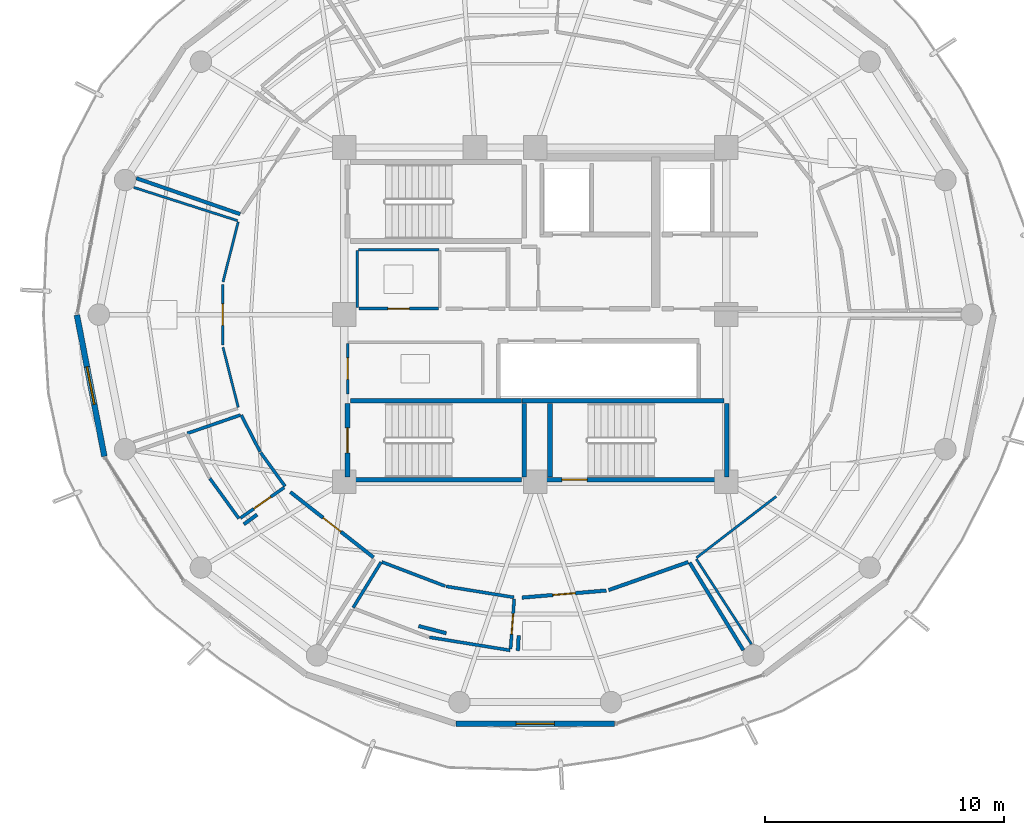
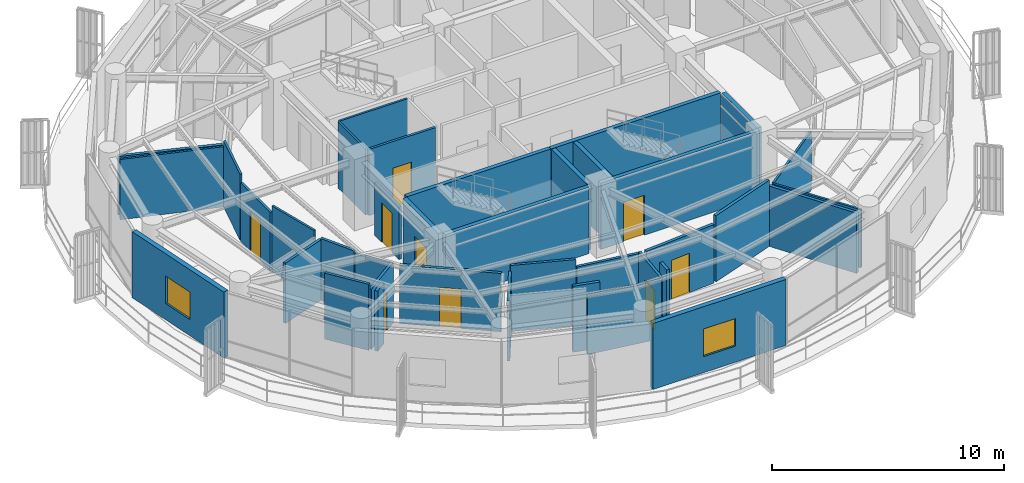
# One storey, part 16 of 23: 38 walls, 9 doors, 2 windows, 11 openings.
"""IFC4 building model written with IfcOpenShell, lengths in metres."""

import ifcopenshell
import ifcopenshell.guid

model = None  # the IFC model being written
_history = None  # IfcOwnerHistory: only IFC2X3 demands one
_inside = {}  # id of a spatial element -> (the spatial element, [elements in it])
_under = {}  # id of a project, library or spatial element -> (it, [spatial elements below it])
_declared = {}  # id of a project -> (the project, [libraries it declares])
_typed = {}  # id of a type object -> (the type object, [elements of that type])
_made_of = {}  # id of a material, layer set ... -> (it, [elements and type objects made of it])


def new_model(schema):
    """Start an empty IFC model of exactly this schema.

    Asked for "IFC4X3", IfcOpenShell would pick the latest addendum, in which some entities
    have other attributes; the version numbers below select the first issue.
    IFC2X3 requires an IfcOwnerHistory on every rooted entity: one is made here for all.
    """
    global model, _history
    if schema == "IFC4X3":
        model = ifcopenshell.file(schema_version=(4, 3, 0, 0))
    else:
        model = ifcopenshell.file(schema=schema)
    _inside.clear()
    _under.clear()
    _declared.clear()
    _typed.clear()
    _made_of.clear()
    _history = None
    if model.schema == "IFC2X3":
        org = make("IfcOrganization", Name="unknown")
        user = make(
            "IfcPersonAndOrganization",
            ThePerson=make("IfcPerson", FamilyName="unknown"),
            TheOrganization=org,
        )
        app = make(
            "IfcApplication",
            ApplicationDeveloper=org,
            Version="unknown",
            ApplicationFullName="unknown",
            ApplicationIdentifier="unknown",
        )
        _history = make(
            "IfcOwnerHistory",
            OwningUser=user,
            OwningApplication=app,
            ChangeAction="ADDED",
            CreationDate=0,
        )
    return model


def make(cls, **values):
    """One entity of the class cls with the attributes given. An attribute that is None is left unset."""
    return model.create_entity(
        cls, **{name: value for name, value in values.items() if value is not None}
    )


def rooted(cls, **values):
    """An entity with a GlobalId (a new one), such as an element, a storey or a relation."""
    return make(cls, GlobalId=ifcopenshell.guid.new(), OwnerHistory=_history, **values)


def si_unit(unit_type, name, prefix=None):
    """IfcSIUnit, for example si_unit("LENGTHUNIT", "METRE", prefix="MILLI")."""
    return make("IfcSIUnit", UnitType=unit_type, Prefix=prefix, Name=name)


def assignment(units):
    """IfcUnitAssignment: the units of a project."""
    return None if units is None else make("IfcUnitAssignment", Units=units)


def point(xyz):
    """IfcCartesianPoint."""
    return None if xyz is None else make("IfcCartesianPoint", Coordinates=xyz)


def direction(xyz):
    """IfcDirection."""
    return None if xyz is None else make("IfcDirection", DirectionRatios=xyz)


def frame(location, z_axis=None, x_axis=None):
    """IfcAxis2Placement3D, a coordinate frame: its origin and axes. An axis left out is left unset."""
    return make(
        "IfcAxis2Placement3D",
        Location=point(location),
        Axis=direction(z_axis),
        RefDirection=direction(x_axis),
    )


def frame_2d(location, x_axis=None):
    """IfcAxis2Placement2D, a coordinate frame in the plane: its origin and x axis."""
    return make(
        "IfcAxis2Placement2D", Location=point(location), RefDirection=direction(x_axis)
    )


def origin():
    """The frame at (0, 0, 0) with its axes left unset."""
    return frame((0.0, 0.0, 0.0))


def place(relative_to, where):
    """IfcLocalPlacement: puts the frame where relative to a parent placement (None: the world)."""
    return make(
        "IfcLocalPlacement", PlacementRelTo=relative_to, RelativePlacement=where
    )


def context(
    kind, dimensions, precision=None, world=None, true_north=None, identifier=None
):
    """IfcGeometricRepresentationContext, for example the 3D "Model" context."""
    return make(
        "IfcGeometricRepresentationContext",
        ContextIdentifier=identifier,
        ContextType=kind,
        CoordinateSpaceDimension=dimensions,
        Precision=precision,
        WorldCoordinateSystem=world,
        TrueNorth=true_north,
    )


def subcontext(parent, identifier, kind, view, scale=None):
    """IfcGeometricRepresentationSubContext, for example "Body" below "Model"."""
    return make(
        "IfcGeometricRepresentationSubContext",
        ContextIdentifier=identifier,
        ContextType=kind,
        ParentContext=parent,
        TargetScale=scale,
        TargetView=view,
    )


def project(units=None, contexts=None):
    """IfcProject with its units and contexts."""
    return rooted(
        "IfcProject",
        Name="project",
        RepresentationContexts=contexts,
        UnitsInContext=assignment(units),
    )


def spatial(cls, under=None, at=None, **own):
    """A site, building, storey or space (cls), placed at a placement, below another one or the project."""
    s = rooted(cls, ObjectPlacement=at, **own)
    if under is not None:
        _under.setdefault(under.id(), (under, []))[1].append(s)
    return s


def profile(cls, at=None, kind="AREA", **sizes):
    """A parametric profile (cls). Its sizes go by their IFC names, for example OverallWidth=200.0."""
    return make(cls, ProfileType=kind, Position=at, **sizes)


def rectangle(**sizes):
    """IfcRectangleProfileDef."""
    return profile("IfcRectangleProfileDef", **sizes)


def extrude(swept, where, along, depth):
    """IfcExtrudedAreaSolid: the profile swept, set in the frame where, extruded along a direction by depth."""
    return make(
        "IfcExtrudedAreaSolid",
        SweptArea=swept,
        Position=where,
        ExtrudedDirection=direction(along),
        Depth=depth,
    )


def shape(context_of_items, identifier, shape_type, items):
    """IfcShapeRepresentation: the items that make up one representation, for example the "Body"."""
    return make(
        "IfcShapeRepresentation",
        ContextOfItems=context_of_items,
        RepresentationIdentifier=identifier,
        RepresentationType=shape_type,
        Items=items,
    )


def material(Name=None, Category=None):
    """IfcMaterial."""
    return make("IfcMaterial", Name=Name, Category=Category)


def layer(
    of_material, thickness, ventilated=None, Name=None, Category=None, Priority=None
):
    """IfcMaterialLayer: one layer of a wall or slab, of a material (None: an air gap)."""
    return make(
        "IfcMaterialLayer",
        Material=of_material,
        LayerThickness=thickness,
        IsVentilated=ventilated,
        Name=Name,
        Category=Category,
        Priority=Priority,
    )


def layer_set(layers, Name=None):
    """IfcMaterialLayerSet."""
    return make("IfcMaterialLayerSet", MaterialLayers=layers, LayerSetName=Name)


def made_of(thing, what):
    """Note that an element or type object is made of a material, layer set ...; save() writes the relation."""
    if what is not None:
        _made_of.setdefault(what.id(), (what, []))[1].append(thing)
    return thing


def type_object(cls, material=None, **own):
    """A type object (cls), such as IfcWallType, which elements share."""
    return made_of(rooted(cls, **own), material)


def element(
    cls,
    number,
    at=None,
    inside=None,
    cuts=None,
    type_object=None,
    material=None,
    context=None,
    identifier="Body",
    shape_type=None,
    held_by="IfcProductDefinitionShape",
    body=None,
    shapes=None,
    **own,
):
    """One element of the class cls, such as IfcWall. Its Tag is "e" and its number.

    at: its placement. inside: the storey or other place that contains it. cuts: it is an
    opening in that element (IfcRelVoidsElement). A single representation is given by context,
    identifier, shape_type and body (its items); several are given by shapes. held_by: the class
    of the entity that holds the representations. save() writes the other relations.
    """
    e = rooted(cls, Tag="e%d" % number, ObjectPlacement=at, **own)
    if body is not None:
        shapes = [shape(context, identifier, shape_type, body)]
    if shapes is not None:
        e.Representation = make(held_by, Representations=shapes)
    if inside is not None:
        _inside.setdefault(inside.id(), (inside, []))[1].append(e)
    if cuts is not None:
        rooted(
            "IfcRelVoidsElement", RelatingBuildingElement=cuts, RelatedOpeningElement=e
        )
    if type_object is not None:
        _typed.setdefault(type_object.id(), (type_object, []))[1].append(e)
    return made_of(e, material)


def fill(opening, filler):
    """IfcRelFillsElement: the door or window that sits in an opening."""
    return rooted(
        "IfcRelFillsElement",
        RelatingOpeningElement=opening,
        RelatedBuildingElement=filler,
    )


def aggregate(whole, parts):
    """IfcRelAggregates: a whole, such as a stair, and the parts it consists of."""
    return rooted("IfcRelAggregates", RelatingObject=whole, RelatedObjects=parts)


def save(model, path):
    """Write the relations noted so far, then the file.

    IfcRelAggregates (storeys below a building ...), IfcRelContainedInSpatialStructure (elements
    in a storey), IfcRelDefinesByType, IfcRelAssociatesMaterial and IfcRelDeclares: one each for
    every whole, place, type object, material and project.
    """
    for whole, parts in _under.values():
        aggregate(whole, parts)
    for where, things in _inside.values():
        rooted(
            "IfcRelContainedInSpatialStructure",
            RelatedElements=things,
            RelatingStructure=where,
        )
    for kind, things in _typed.values():
        rooted("IfcRelDefinesByType", RelatedObjects=things, RelatingType=kind)
    for what, things in _made_of.values():
        rooted("IfcRelAssociatesMaterial", RelatedObjects=things, RelatingMaterial=what)
    for by, libraries in _declared.values():
        rooted("IfcRelDeclares", RelatingContext=by, RelatedDefinitions=libraries)
    model.write(path)


model = new_model("IFC4")

# Units and contexts
model_context = context("Model", 3, precision=1e-05, world=origin(), true_north=direction((0.0, 1.0)))
body_context = subcontext(model_context, "Body", "Model", "MODEL_VIEW")
ifc_project = project(units=[si_unit("LENGTHUNIT", "METRE"), si_unit("AREAUNIT", "SQUARE_METRE"), si_unit("VOLUMEUNIT", "CUBIC_METRE"), si_unit("PLANEANGLEUNIT", "RADIAN"), si_unit("MASSUNIT", "GRAM", prefix="KILO")], contexts=[model_context])

# Site, building, storey
site_placement = place(None, origin())
site = spatial("IfcSite", under=ifc_project, at=site_placement, CompositionType="ELEMENT")
building_placement = place(site_placement, origin())
building = spatial("IfcBuilding", under=site, at=building_placement, Name="Kelanora Arch Commons", CompositionType="ELEMENT")
storey_placement = place(building_placement, frame((0.0, 0.0, 278.699951171875)))
storey = spatial("IfcBuildingStorey", under=building, at=storey_placement, Name="L71", CompositionType="ELEMENT", Elevation=278.699951171875)

# Wall, opening, door
ifc_material_1 = material(Name="Autoclaved aerated concrete blockwork with fire plaster", Category="masonry")
ifc_layer_1 = layer(ifc_material_1, 0.14990234375)
ifc_layer_set_1 = layer_set([ifc_layer_1], Name="Autoclaved aerated concrete blockwork with fire plaster")
wall_type_1 = type_object("IfcWallType", Name="W-COMP-150", PredefinedType="PARTITIONING", material=ifc_layer_set_1)
wall_1_placement = place(storey_placement, frame((63.7451171875, 50.56787109375, 0.0), z_axis=(0.0, 0.0, 1.0), x_axis=(0.786354671358, -0.617775307724, 0.0)))
wall_1 = element("IfcWall", 1, at=wall_1_placement, inside=storey, type_object=wall_type_1, Name="Co-Living Studio L71-04 Entry Partition", PredefinedType="PARTITIONING", context=body_context, shape_type="SweptSolid", body=[
    extrude(rectangle(XDim=4.43017578125, YDim=0.14990234375, at=frame_2d((2.215087890625, 0.0))), origin(), (0.0, 0.0, 1.0), 3.074951171875),
])
opening_1_placement = place(wall_1_placement, frame((1.739990234375, 0.0, 0.0)))
opening_1 = element("IfcOpeningElement", 2, at=opening_1_placement, cuts=wall_1, Name="Opening D-CLU1", PredefinedType="OPENING", context=body_context, shape_type="SweptSolid", body=[
    extrude(rectangle(XDim=0.949951171875, YDim=2.080078125, at=frame_2d((0.47509765625, 1.0400390625))), frame((0.0, 0.0849609375, 0.0), z_axis=(0.0, -1.0, 0.0), x_axis=(1.0, 0.0, 0.0)), (0.0, 0.0, 1.0), 0.169921875),
])
ifc_material_2 = material(Name="Solid-core acoustic timber cluster entry fire door", Category="wood")
door_type_1 = type_object("IfcDoorType", Name="D-CLU-95", OperationType="NOTDEFINED", PredefinedType="DOOR", material=ifc_material_2)
door_1_placement = place(opening_1_placement, origin())
door_1 = element("IfcDoor", 3, at=door_1_placement, inside=storey, type_object=door_type_1, Name="Co-Living Studio L71-04 Door", OperationType="SINGLE_SWING_LEFT", OverallHeight=2.080078125, OverallWidth=0.949951171875, PredefinedType="DOOR", context=body_context, shape_type="SweptSolid", body=[
    extrude(rectangle(XDim=0.949951171875, YDim=2.080078125, at=frame_2d((0.47509765625, 1.0400390625))), frame((0.0, 0.02490234375, 0.0), z_axis=(0.0, -1.0, 0.0), x_axis=(1.0, 0.0, 0.0)), (0.0, 0.0, 1.0), 0.050048828125),
])
fill(opening_1, door_1)

wall_2_placement = place(storey_placement, frame((73.44677734375, 46.14794921875, 0.0), z_axis=(0.0, 0.0, 1.0), x_axis=(0.996494196011, 0.083661922741, 0.0)))
wall_2 = element("IfcWall", 4, at=wall_2_placement, inside=storey, type_object=wall_type_1, Name="Co-Living Studio L71-05 Entry Partition", PredefinedType="PARTITIONING", context=body_context, shape_type="SweptSolid", body=[
    extrude(rectangle(XDim=3.539794921875, YDim=0.14990234375, at=frame_2d((1.77001953125, 0.0))), origin(), (0.0, 0.0, 1.0), 3.074951171875),
])
opening_2_placement = place(wall_2_placement, frame((1.294921875, 0.0, 0.0)))
opening_2 = element("IfcOpeningElement", 5, at=opening_2_placement, cuts=wall_2, Name="Opening D-CLU1", PredefinedType="OPENING", context=body_context, shape_type="SweptSolid", body=[
    extrude(rectangle(XDim=0.949951171875, YDim=2.080078125, at=frame_2d((0.47509765625, 1.0400390625))), frame((0.0, 0.0849609375, 0.0), z_axis=(0.0, -1.0, 0.0), x_axis=(1.0, 0.0, 0.0)), (0.0, 0.0, 1.0), 0.169921875),
])
door_2_placement = place(opening_2_placement, origin())
door_2 = element("IfcDoor", 6, at=door_2_placement, inside=storey, type_object=door_type_1, Name="Co-Living Studio L71-05 Door", OperationType="SINGLE_SWING_LEFT", OverallHeight=2.080078125, OverallWidth=0.949951171875, PredefinedType="DOOR", context=body_context, shape_type="SweptSolid", body=[
    extrude(rectangle(XDim=0.949951171875, YDim=2.080078125, at=frame_2d((0.47509765625, 1.0400390625))), frame((0.0, 0.02490234375, 0.0), z_axis=(0.0, -1.0, 0.0), x_axis=(1.0, 0.0, 0.0)), (0.0, 0.0, 1.0), 0.050048828125),
])
fill(opening_2, door_2)

# Walls
wall_3_placement = place(storey_placement, frame((61.64208984375, 62.208984375, 0.0), z_axis=(0.0, 0.0, 1.0), x_axis=(-0.945103281494, 0.326771766388, 0.0)))
element("IfcWall", 7, at=wall_3_placement, inside=storey, type_object=wall_type_1, Name="Co-Living Studio L71-02 Enclosure Partition 2", PredefinedType="PARTITIONING", context=body_context, shape_type="SweptSolid", body=[
    extrude(rectangle(XDim=4.603759765625, YDim=0.14990234375, at=frame_2d((2.3017578125, 0.0))), origin(), (0.0, 0.0, 1.0), 3.074951171875),
])
wall_4_placement = place(storey_placement, frame((61.79541015625, 49.218505859375, 0.0), z_axis=(0.0, 0.0, 1.0), x_axis=(0.808091885227, 0.589056453178, 0.0)))
element("IfcWall", 8, at=wall_4_placement, inside=storey, type_object=wall_type_1, Name="Co-Living Studio L71-04 Enclosure Partition 7", PredefinedType="PARTITIONING", context=body_context, shape_type="SweptSolid", body=[
    extrude(rectangle(XDim=0.688720703125, YDim=0.14990234375, at=frame_2d((0.34423828125, 0.0))), origin(), (0.0, 0.0, 1.0), 3.175048828125),
])
wall_5_placement = place(storey_placement, frame((77.07177734375, 46.46240234375, 0.0), z_axis=(0.0, 0.0, 1.0), x_axis=(0.943334007166, 0.331844769319, 0.0)))
element("IfcWall", 9, at=wall_5_placement, inside=storey, type_object=wall_type_1, Name="Co-Living Studio L71-05 Enclosure Partition 2", PredefinedType="PARTITIONING", context=body_context, shape_type="SweptSolid", body=[
    extrude(rectangle(XDim=3.535888671875, YDim=0.14990234375, at=frame_2d((1.76806640625, 0.0))), origin(), (0.0, 0.0, 1.0), 3.47998046875),
])
wall_6_placement = place(storey_placement, frame((80.4658203125, 47.614990234375, 0.0), z_axis=(0.0, 0.0, 1.0), x_axis=(0.522784059663, -0.852465147066, 0.0)))
element("IfcWall", 10, at=wall_6_placement, inside=storey, type_object=wall_type_1, Name="Co-Living Studio L71-05 Enclosure Partition 3", PredefinedType="PARTITIONING", context=body_context, shape_type="SweptSolid", body=[
    extrude(rectangle(XDim=4.30615234375, YDim=0.14990234375, at=frame_2d((2.153076171875, 0.0))), origin(), (0.0, 0.0, 1.0), 3.175048828125),
])
wall_7_placement = place(storey_placement, frame((69.117431640625, 44.956298828125, 0.0), z_axis=(0.0, 0.0, 1.0), x_axis=(0.968105115077, -0.250544379624, 0.0)))
element("IfcWall", 11, at=wall_7_placement, inside=storey, type_object=wall_type_1, Name="Co-Living Studio L71-05 Enclosure Partition 7", PredefinedType="PARTITIONING", context=body_context, shape_type="SweptSolid", body=[
    extrude(rectangle(XDim=1.196533203125, YDim=0.14990234375, at=frame_2d((0.59814453125, 0.0))), origin(), (0.0, 0.0, 1.0), 3.47998046875),
])
wall_8_placement = place(storey_placement, frame((73.27392578125, 43.9208984375, 0.0), z_axis=(0.0, 0.0, 1.0), x_axis=(0.050992575405, 0.998699032368, 0.0)))
element("IfcWall", 12, at=wall_8_placement, inside=storey, type_object=wall_type_1, Name="Co-Living Studio L71-05 Enclosure Partition 8", PredefinedType="PARTITIONING", context=body_context, shape_type="SweptSolid", body=[
    extrude(rectangle(XDim=0.646240234375, YDim=0.14990234375, at=frame_2d((0.3232421875, 0.0))), origin(), (0.0, 0.0, 1.0), 3.47998046875),
])

# Wall, opening, window
ifc_material_3 = material(Name="Precast concrete C40/50 upper-zone terracotta rainscreen", Category="masonry")
ifc_layer_2 = layer(ifc_material_3, 0.239990234375)
ifc_layer_set_2 = layer_set([ifc_layer_2], Name="Precast concrete C40/50 upper-zone terracotta rainscreen")
wall_type_2 = type_object("IfcWallType", Name="W-EXT-TC2", PredefinedType="SOLIDWALL", material=ifc_layer_set_2)
wall_9_placement = place(storey_placement, frame((54.802978515625, 57.9853515625, 0.0), z_axis=(0.0, 0.0, 1.0), x_axis=(0.190969309115, -0.981596008028, 0.0)))
wall_9 = element("IfcWall", 13, at=wall_9_placement, inside=storey, type_object=wall_type_2, Name="Terracotta Exterior Wall L71-B09", PredefinedType="SOLIDWALL", context=body_context, shape_type="SweptSolid", body=[
    extrude(rectangle(XDim=6.032958984375, YDim=0.239990234375, at=frame_2d((3.0166015625, 0.0))), origin(), (0.0, 0.0, 1.0), 3.47509765625),
])
opening_3_placement = place(wall_9_placement, frame((2.216064453125, 0.0, 0.85009765625)))
opening_3 = element("IfcOpeningElement", 14, at=opening_3_placement, cuts=wall_9, Name="Opening WN-01", PredefinedType="OPENING", context=body_context, shape_type="SweptSolid", body=[
    extrude(rectangle(XDim=1.60009765625, YDim=1.449951171875, at=frame_2d((0.800048828125, 0.72509765625))), frame((0.0, 0.1298828125, 0.0), z_axis=(0.0, -1.0, 0.0), x_axis=(1.0, 0.0, 0.0)), (0.0, 0.0, 1.0), 0.260009765625),
])
ifc_material_4 = material(Name="Terracotta-anodised aluminium frame with operable low-E glazing", Category="masonry")
window_type = type_object("IfcWindowType", Name="WIN-CL-18", PartitioningType="DOUBLE_PANEL_VERTICAL", PredefinedType="WINDOW", material=ifc_material_4)
window_1_placement = place(opening_3_placement, origin())
window_1 = element("IfcWindow", 15, at=window_1_placement, inside=storey, type_object=window_type, Name="Co-Living Operable Window L71-B09", OverallHeight=1.449951171875, OverallWidth=1.60009765625, PartitioningType="SINGLE_PANEL", PredefinedType="WINDOW", context=body_context, shape_type="SweptSolid", body=[
    extrude(rectangle(XDim=1.60009765625, YDim=1.449951171875, at=frame_2d((0.800048828125, 0.72509765625))), frame((0.0, 0.030029296875, 0.0), z_axis=(0.0, -1.0, 0.0), x_axis=(1.0, 0.0, 0.0)), (0.0, 0.0, 1.0), 0.06005859375),
])
fill(opening_3, window_1)

wall_10_placement = place(storey_placement, frame((70.680908203125, 40.8642578125, 0.0), z_axis=(0.0, 0.0, 1.0), x_axis=(1.0, 0.0, 0.0)))
wall_10 = element("IfcWall", 16, at=wall_10_placement, inside=storey, type_object=wall_type_2, Name="Terracotta Exterior Wall L71-B13", PredefinedType="SOLIDWALL", context=body_context, shape_type="SweptSolid", body=[
    extrude(rectangle(XDim=6.63818359375, YDim=0.239990234375, at=frame_2d((3.319091796875, 0.0))), origin(), (0.0, 0.0, 1.0), 3.47509765625),
])
opening_4_placement = place(wall_10_placement, frame((2.51904296875, 0.0, 0.85009765625)))
opening_4 = element("IfcOpeningElement", 17, at=opening_4_placement, cuts=wall_10, Name="Opening WN-01", PredefinedType="OPENING", context=body_context, shape_type="SweptSolid", body=[
    extrude(rectangle(XDim=1.60009765625, YDim=1.449951171875, at=frame_2d((0.800048828125, 0.72509765625))), frame((0.0, 0.1298828125, 0.0), z_axis=(0.0, -1.0, 0.0), x_axis=(1.0, 0.0, 0.0)), (0.0, 0.0, 1.0), 0.260009765625),
])
window_2_placement = place(opening_4_placement, origin())
window_2 = element("IfcWindow", 18, at=window_2_placement, inside=storey, type_object=window_type, Name="Co-Living Operable Window L71-B13", OverallHeight=1.449951171875, OverallWidth=1.60009765625, PartitioningType="SINGLE_PANEL", PredefinedType="WINDOW", context=body_context, shape_type="SweptSolid", body=[
    extrude(rectangle(XDim=1.60009765625, YDim=1.449951171875, at=frame_2d((0.800048828125, 0.72509765625))), frame((0.0, 0.030029296875, 0.0), z_axis=(0.0, -1.0, 0.0), x_axis=(1.0, 0.0, 0.0)), (0.0, 0.0, 1.0), 0.06005859375),
])
fill(opening_4, window_2)

# Walls
ifc_material_5 = material(Name="Lightweight fire-rated acoustic stud partition")
ifc_layer_3 = layer(ifc_material_5, 0.10009765625)
ifc_layer_set_3 = layer_set([ifc_layer_3], Name="Lightweight fire-rated acoustic stud partition")
wall_type_3 = type_object("IfcWallType", Name="W-PART-100", PredefinedType="PARTITIONING", material=ifc_layer_set_3)
wall_11_placement = place(storey_placement, frame((69.9599609375, 60.719970703125, 0.0), z_axis=(0.0, 0.0, 1.0), x_axis=(-1.0, 0.0, 0.0)))
element("IfcWall", 19, at=wall_11_placement, inside=storey, type_object=wall_type_3, Name="Reclaimed Core Quiet Phone Booths L71 Enclosure Partition 3", PredefinedType="PARTITIONING", context=body_context, shape_type="SweptSolid", body=[
    extrude(rectangle(XDim=3.369873046875, YDim=0.10009765625, at=frame_2d((1.68505859375, 0.0))), origin(), (0.0, 0.0, 1.0), 3.47998046875),
])
wall_12_placement = place(storey_placement, frame((66.550048828125, 60.679931640625, 0.0), z_axis=(0.0, 0.0, 1.0), x_axis=(0.0, -1.0, 0.0)))
element("IfcWall", 20, at=wall_12_placement, inside=storey, type_object=wall_type_3, Name="Reclaimed Core Quiet Phone Booths L71 Enclosure Partition 4", PredefinedType="PARTITIONING", context=body_context, shape_type="SweptSolid", body=[
    extrude(rectangle(XDim=2.389892578125, YDim=0.10009765625, at=frame_2d((1.19482421875, 0.0))), origin(), (0.0, 0.0, 1.0), 3.47998046875),
])
for number, where, z_axis, x_axis, name in (
    (21, (61.560302734375, 61.88427734375, 0.0), (0.0, 0.0, 1.0), (-0.245655775867, -0.969357127061, 0.0), "Social Sky Lounge L71-03 Enclosure Partition 1"),
    (22, (60.9228515625, 56.631103515625, 0.0), (0.0, 0.0, 1.0), (0.245655775867, -0.969357127061, 0.0), "Social Sky Lounge L71-03 Enclosure Partition 3"),
):
    element("IfcWall", number, at=place(storey_placement, frame(where, z_axis=z_axis, x_axis=x_axis)), inside=storey, type_object=wall_type_3, Name=name, PredefinedType="PARTITIONING", context=body_context, shape_type="SweptSolid", body=[
        extrude(rectangle(XDim=2.594970703125, YDim=0.10009765625, at=frame_2d((1.29736328125, 0.0))), origin(), (0.0, 0.0, 1.0), 3.47998046875),
    ])
wall_13_placement = place(storey_placement, frame((57.184326171875, 63.328857421875, 0.0), z_axis=(0.0, 0.0, 1.0), x_axis=(0.95227750557, -0.305233602976, 0.0)))
element("IfcWall", 23, at=wall_13_placement, inside=storey, type_object=wall_type_3, Name="Social Sky Lounge L71-03 Enclosure Partition 8", PredefinedType="PARTITIONING", context=body_context, shape_type="SweptSolid", body=[
    extrude(rectangle(XDim=4.5654296875, YDim=0.10009765625, at=frame_2d((2.28271484375, 0.0))), origin(), (0.0, 0.0, 1.0), 3.175048828125),
])
wall_14_placement = place(storey_placement, frame((80.755615234375, 47.818359375, 0.0), z_axis=(0.0, 0.0, 1.0), x_axis=(0.792820246885, 0.609455540733, 0.0)))
element("IfcWall", 24, at=wall_14_placement, inside=storey, type_object=wall_type_3, Name="Quiet Seminar Study Room L71-06 Enclosure Partition 1", PredefinedType="PARTITIONING", context=body_context, shape_type="SweptSolid", body=[
    extrude(rectangle(XDim=4.207275390625, YDim=0.10009765625, at=frame_2d((2.103515625, 0.0))), origin(), (0.0, 0.0, 1.0), 3.074951171875),
])
wall_15_placement = place(storey_placement, frame((83.058349609375, 44.19580078125, 0.0), z_axis=(0.0, 0.0, 1.0), x_axis=(-0.544234825024, 0.838932926539, 0.0)))
element("IfcWall", 25, at=wall_15_placement, inside=storey, type_object=wall_type_3, Name="Quiet Seminar Study Room L71-06 Enclosure Partition 8", PredefinedType="PARTITIONING", context=body_context, shape_type="SweptSolid", body=[
    extrude(rectangle(XDim=4.2490234375, YDim=0.10009765625, at=frame_2d((2.12451171875, 0.0))), origin(), (0.0, 0.0, 1.0), 3.074951171875),
])

# Wall, opening, door
ifc_material_6 = material(Name="Acoustic twin-stud fire-rated gypsum partition")
ifc_layer_4 = layer(ifc_material_6, 0.1201171875)
ifc_layer_set_4 = layer_set([ifc_layer_4], Name="Acoustic twin-stud fire-rated gypsum partition")
wall_type_4 = type_object("IfcWallType", Name="W-PART-120", PredefinedType="PARTITIONING", material=ifc_layer_set_4)
wall_16_placement = place(storey_placement, frame((66.610107421875, 58.25, 0.0), z_axis=(0.0, 0.0, 1.0), x_axis=(1.0, 0.0, 0.0)))
wall_16 = element("IfcWall", 26, at=wall_16_placement, inside=storey, type_object=wall_type_4, Name="Reclaimed Core Quiet Phone Booths L71 Entry Partition", PredefinedType="PARTITIONING", context=body_context, shape_type="SweptSolid", body=[
    extrude(rectangle(XDim=3.329833984375, YDim=0.1201171875, at=frame_2d((1.6650390625, 0.0))), origin(), (0.0, 0.0, 1.0), 3.47998046875),
])
opening_5_placement = place(wall_16_placement, frame((1.215087890625, 0.0, 0.0)))
opening_5 = element("IfcOpeningElement", 27, at=opening_5_placement, cuts=wall_16, Name="Opening D-RM1", PredefinedType="OPENING", context=body_context, shape_type="SweptSolid", body=[
    extrude(rectangle(XDim=0.89990234375, YDim=2.080078125, at=frame_2d((0.449951171875, 1.0400390625))), frame((0.0, 0.070068359375, 0.0), z_axis=(0.0, -1.0, 0.0), x_axis=(1.0, 0.0, 0.0)), (0.0, 0.0, 1.0), 0.14013671875),
])
ifc_material_7 = material(Name="Acoustic fire-rated timber study and lounge door", Category="wood")
door_type_2 = type_object("IfcDoorType", Name="D-ROOM-90", OperationType="NOTDEFINED", PredefinedType="DOOR", material=ifc_material_7)
door_3_placement = place(opening_5_placement, origin())
door_3 = element("IfcDoor", 28, at=door_3_placement, inside=storey, type_object=door_type_2, Name="Reclaimed Core Quiet Phone Booths L71 Door", OperationType="SINGLE_SWING_RIGHT", OverallHeight=2.080078125, OverallWidth=0.89990234375, PredefinedType="DOOR", context=body_context, shape_type="SweptSolid", body=[
    extrude(rectangle(XDim=0.89990234375, YDim=2.080078125, at=frame_2d((0.449951171875, 1.0400390625))), frame((0.0, 0.02490234375, 0.0), z_axis=(0.0, -1.0, 0.0), x_axis=(1.0, 0.0, 0.0)), (0.0, 0.0, 1.0), 0.050048828125),
])
fill(opening_5, door_3)

wall_17_placement = place(storey_placement, frame((66.14990234375, 54.679931640625, 0.0), z_axis=(0.0, 0.0, 1.0), x_axis=(0.0, 1.0, 0.0)))
wall_17 = element("IfcWall", 29, at=wall_17_placement, inside=storey, type_object=wall_type_4, Name="Reclaimed Core High-Zone Pantry and Copy Room L71 Entry Partition", PredefinedType="PARTITIONING", context=body_context, shape_type="SweptSolid", body=[
    extrude(rectangle(XDim=2.110107421875, YDim=0.1201171875, at=frame_2d((1.05517578125, 0.0))), origin(), (0.0, 0.0, 1.0), 2.775146484375),
])
opening_6_placement = place(wall_17_placement, frame((0.60498046875, 0.0, 0.0)))
opening_6 = element("IfcOpeningElement", 30, at=opening_6_placement, cuts=wall_17, Name="Opening D-RM1", PredefinedType="OPENING", context=body_context, shape_type="SweptSolid", body=[
    extrude(rectangle(XDim=0.89990234375, YDim=2.080078125, at=frame_2d((0.449951171875, 1.0400390625))), frame((0.0, 0.070068359375, 0.0), z_axis=(0.0, -1.0, 0.0), x_axis=(1.0, 0.0, 0.0)), (0.0, 0.0, 1.0), 0.14013671875),
])
door_4_placement = place(opening_6_placement, origin())
door_4 = element("IfcDoor", 31, at=door_4_placement, inside=storey, type_object=door_type_2, Name="Reclaimed Core High-Zone Pantry and Copy Room L71 Door", OperationType="SINGLE_SWING_RIGHT", OverallHeight=2.080078125, OverallWidth=0.89990234375, PredefinedType="DOOR", context=body_context, shape_type="SweptSolid", body=[
    extrude(rectangle(XDim=0.89990234375, YDim=2.080078125, at=frame_2d((0.449951171875, 1.0400390625))), frame((0.0, 0.02490234375, 0.0), z_axis=(0.0, -1.0, 0.0), x_axis=(1.0, 0.0, 0.0)), (0.0, 0.0, 1.0), 0.050048828125),
])
fill(opening_6, door_4)

wall_18_placement = place(storey_placement, frame((60.9130859375, 59.27001953125, 0.0), z_axis=(0.0, 0.0, 1.0), x_axis=(0.0, -1.0, 0.0)))
wall_18 = element("IfcWall", 32, at=wall_18_placement, inside=storey, type_object=wall_type_4, Name="Social Sky Lounge L71-03 Entry Partition", PredefinedType="PARTITIONING", context=body_context, shape_type="SweptSolid", body=[
    extrude(rectangle(XDim=2.5400390625, YDim=0.1201171875, at=frame_2d((1.27001953125, 0.0))), origin(), (0.0, 0.0, 1.0), 3.074951171875),
])
opening_7_placement = place(wall_18_placement, frame((0.820068359375, 0.0, 0.0)))
opening_7 = element("IfcOpeningElement", 33, at=opening_7_placement, cuts=wall_18, Name="Opening D-RM1", PredefinedType="OPENING", context=body_context, shape_type="SweptSolid", body=[
    extrude(rectangle(XDim=0.89990234375, YDim=2.080078125, at=frame_2d((0.449951171875, 1.0400390625))), frame((0.0, 0.070068359375, 0.0), z_axis=(0.0, -1.0, 0.0), x_axis=(1.0, 0.0, 0.0)), (0.0, 0.0, 1.0), 0.14013671875),
])
door_5_placement = place(opening_7_placement, origin())
door_5 = element("IfcDoor", 34, at=door_5_placement, inside=storey, type_object=door_type_2, Name="Social Sky Lounge L71-03 Door", OperationType="SINGLE_SWING_LEFT", OverallHeight=2.080078125, OverallWidth=0.89990234375, PredefinedType="DOOR", context=body_context, shape_type="SweptSolid", body=[
    extrude(rectangle(XDim=0.89990234375, YDim=2.080078125, at=frame_2d((0.449951171875, 1.0400390625))), frame((0.0, 0.02490234375, 0.0), z_axis=(0.0, -1.0, 0.0), x_axis=(1.0, 0.0, 0.0)), (0.0, 0.0, 1.0), 0.050048828125),
])
fill(opening_7, door_5)

ifc_material_8 = material(Name="Concrete C40/50", Category="concrete")
ifc_layer_5 = layer(ifc_material_8, 0.199951171875)
ifc_layer_set_5 = layer_set([ifc_layer_5], Name="Concrete C40/50")
wall_type_5 = type_object("IfcWallType", Name="W-STAIR-200", PredefinedType="SHEAR", material=ifc_layer_set_5)
wall_19_placement = place(storey_placement, frame((74.0, 51.080078125, 0.0), z_axis=(0.0, 0.0, 1.0), x_axis=(1.0, 0.0, 0.0)))
wall_19 = element("IfcWall", 35, at=wall_19_placement, inside=storey, type_object=wall_type_5, Name="Stair ST-T2 Shaft Wall S L71", PredefinedType="SHEAR", context=body_context, shape_type="SweptSolid", body=[
    extrude(rectangle(XDim=7.89990234375, YDim=0.199951171875, at=frame_2d((3.949951171875, 0.0))), origin(), (0.0, 0.0, 1.0), 3.489990234375),
])
opening_8_placement = place(wall_19_placement, frame((1.1201171875, 0.0, 0.0)))
opening_8 = element("IfcOpeningElement", 36, at=opening_8_placement, cuts=wall_19, Name="Opening D-ST1", PredefinedType="OPENING", context=body_context, shape_type="SweptSolid", body=[
    extrude(rectangle(XDim=1.050048828125, YDim=2.10009765625, at=frame_2d((0.52490234375, 1.050048828125))), frame((0.0, 0.10986328125, 0.0), z_axis=(0.0, -1.0, 0.0), x_axis=(1.0, 0.0, 0.0)), (0.0, 0.0, 1.0), 0.219970703125),
])
ifc_material_9 = material(Name="Steel fire-rated stairwell escape door", Category="steel")
door_type_3 = type_object("IfcDoorType", Name="D-STAIR-110", OperationType="NOTDEFINED", PredefinedType="DOOR", material=ifc_material_9)
door_6_placement = place(opening_8_placement, origin())
door_6 = element("IfcDoor", 37, at=door_6_placement, inside=storey, type_object=door_type_3, Name="Stair ST-T2 Escape Door L71", OperationType="SINGLE_SWING_LEFT", OverallHeight=2.10009765625, OverallWidth=1.050048828125, PredefinedType="DOOR", context=body_context, shape_type="SweptSolid", body=[
    extrude(rectangle(XDim=1.050048828125, YDim=2.10009765625, at=frame_2d((0.52490234375, 1.050048828125))), frame((0.0, 0.02490234375, 0.0), z_axis=(0.0, -1.0, 0.0), x_axis=(1.0, 0.0, 0.0)), (0.0, 0.0, 1.0), 0.050048828125),
])
fill(opening_8, door_6)

# Walls
wall_20_placement = place(storey_placement, frame((82.02001953125, 51.199951171875, 0.0), z_axis=(0.0, 0.0, 1.0), x_axis=(0.0, 1.0, 0.0)))
element("IfcWall", 38, at=wall_20_placement, inside=storey, type_object=wall_type_5, Name="Stair ST-T2 Shaft Wall E L71", PredefinedType="SHEAR", context=body_context, shape_type="SweptSolid", body=[
    extrude(rectangle(XDim=3.070068359375, YDim=0.199951171875, at=frame_2d((1.53515625, 0.0))), origin(), (0.0, 0.0, 1.0), 3.489990234375),
])
wall_21_placement = place(storey_placement, frame((81.89990234375, 54.389892578125, 0.0), z_axis=(0.0, 0.0, 1.0), x_axis=(-1.0, 0.0, 0.0)))
element("IfcWall", 39, at=wall_21_placement, inside=storey, type_object=wall_type_5, Name="Stair ST-T2 Shaft Wall N L71", PredefinedType="SHEAR", context=body_context, shape_type="SweptSolid", body=[
    extrude(rectangle(XDim=8.4599609375, YDim=0.199951171875, at=frame_2d((4.22998046875, 0.0))), origin(), (0.0, 0.0, 1.0), 3.489990234375),
])
wall_22_placement = place(storey_placement, frame((74.6201171875, 54.27001953125, 0.0), z_axis=(0.0, 0.0, 1.0), x_axis=(0.0, -1.0, 0.0)))
element("IfcWall", 40, at=wall_22_placement, inside=storey, type_object=wall_type_5, Name="Stair ST-T2 Shaft Wall W L71", PredefinedType="SHEAR", context=body_context, shape_type="SweptSolid", body=[
    extrude(rectangle(XDim=3.070068359375, YDim=0.199951171875, at=frame_2d((1.53515625, 0.0))), origin(), (0.0, 0.0, 1.0), 3.489990234375),
])
wall_23_placement = place(storey_placement, frame((66.260009765625, 51.080078125, 0.0), z_axis=(0.0, 0.0, 1.0), x_axis=(1.0, 0.0, 0.0)))
element("IfcWall", 41, at=wall_23_placement, inside=storey, type_object=wall_type_5, Name="Stair ST-T3 Shaft Wall S L71", PredefinedType="SHEAR", context=body_context, shape_type="SweptSolid", body=[
    extrude(rectangle(XDim=7.159912109375, YDim=0.199951171875, at=frame_2d((3.580078125, 0.0))), origin(), (0.0, 0.0, 1.0), 3.489990234375),
])
wall_24_placement = place(storey_placement, frame((73.5400390625, 51.199951171875, 0.0), z_axis=(0.0, 0.0, 1.0), x_axis=(0.0, 1.0, 0.0)))
element("IfcWall", 42, at=wall_24_placement, inside=storey, type_object=wall_type_5, Name="Stair ST-T3 Shaft Wall E L71", PredefinedType="SHEAR", context=body_context, shape_type="SweptSolid", body=[
    extrude(rectangle(XDim=3.070068359375, YDim=0.199951171875, at=frame_2d((1.53515625, 0.0))), origin(), (0.0, 0.0, 1.0), 3.489990234375),
])
wall_25_placement = place(storey_placement, frame((73.419921875, 54.389892578125, 0.0), z_axis=(0.0, 0.0, 1.0), x_axis=(-1.0, 0.0, 0.0)))
element("IfcWall", 43, at=wall_25_placement, inside=storey, type_object=wall_type_5, Name="Stair ST-T3 Shaft Wall N L71", PredefinedType="SHEAR", context=body_context, shape_type="SweptSolid", body=[
    extrude(rectangle(XDim=7.159912109375, YDim=0.199951171875, at=frame_2d((3.580078125, 0.0))), origin(), (0.0, 0.0, 1.0), 3.489990234375),
])

# Wall, opening, door
wall_26_placement = place(storey_placement, frame((66.139892578125, 54.27001953125, 0.0), z_axis=(0.0, 0.0, 1.0), x_axis=(0.0, -1.0, 0.0)))
wall_26 = element("IfcWall", 44, at=wall_26_placement, inside=storey, type_object=wall_type_5, Name="Stair ST-T3 Shaft Wall W L71", PredefinedType="SHEAR", context=body_context, shape_type="SweptSolid", body=[
    extrude(rectangle(XDim=3.070068359375, YDim=0.199951171875, at=frame_2d((1.53515625, 0.0))), origin(), (0.0, 0.0, 1.0), 3.489990234375),
])
opening_9_placement = place(wall_26_placement, frame((1.010009765625, 0.0, 0.0)))
opening_9 = element("IfcOpeningElement", 45, at=opening_9_placement, cuts=wall_26, Name="Opening D-ST1", PredefinedType="OPENING", context=body_context, shape_type="SweptSolid", body=[
    extrude(rectangle(XDim=1.050048828125, YDim=2.10009765625, at=frame_2d((0.52490234375, 1.050048828125))), frame((0.0, 0.10986328125, 0.0), z_axis=(0.0, -1.0, 0.0), x_axis=(1.0, 0.0, 0.0)), (0.0, 0.0, 1.0), 0.219970703125),
])
door_7_placement = place(opening_9_placement, origin())
door_7 = element("IfcDoor", 46, at=door_7_placement, inside=storey, type_object=door_type_3, Name="Stair ST-T3 Escape Door L71", OperationType="SINGLE_SWING_LEFT", OverallHeight=2.10009765625, OverallWidth=1.050048828125, PredefinedType="DOOR", context=body_context, shape_type="SweptSolid", body=[
    extrude(rectangle(XDim=1.050048828125, YDim=2.10009765625, at=frame_2d((0.52490234375, 1.050048828125))), frame((0.0, 0.02490234375, 0.0), z_axis=(0.0, -1.0, 0.0), x_axis=(1.0, 0.0, 0.0)), (0.0, 0.0, 1.0), 0.050048828125),
])
fill(opening_9, door_7)

ifc_material_10 = material(Name="Moisture-resistant fire-rated cement-board plumbing wall")
ifc_layer_6 = layer(ifc_material_10, 0.1298828125)
ifc_layer_set_6 = layer_set([ifc_layer_6], Name="Moisture-resistant fire-rated cement-board plumbing wall")
wall_type_6 = type_object("IfcWallType", Name="W-WET-120", PredefinedType="PLUMBINGWALL", material=ifc_layer_set_6)
wall_27_placement = place(storey_placement, frame((63.48583984375, 50.7587890625, 0.0), z_axis=(0.0, 0.0, 1.0), x_axis=(-0.819963878171, -0.572415267525, 0.0)))
wall_27 = element("IfcWall", 47, at=wall_27_placement, inside=storey, type_object=wall_type_6, Name="En-Suite Shower WC L71-04 Entry Partition", PredefinedType="PLUMBINGWALL", context=body_context, shape_type="SweptSolid", body=[
    extrude(rectangle(XDim=2.23876953125, YDim=0.1298828125, at=frame_2d((1.119384765625, 0.0))), origin(), (0.0, 0.0, 1.0), 3.175048828125),
])
opening_10_placement = place(wall_27_placement, frame((0.68896484375, 0.0, 0.0)))
opening_10 = element("IfcOpeningElement", 48, at=opening_10_placement, cuts=wall_27, Name="Opening D-BT1", PredefinedType="OPENING", context=body_context, shape_type="SweptSolid", body=[
    extrude(rectangle(XDim=0.860107421875, YDim=2.050048828125, at=frame_2d((0.43017578125, 1.02490234375))), frame((0.0, 0.074951171875, 0.0), z_axis=(0.0, -1.0, 0.0), x_axis=(1.0, 0.0, 0.0)), (0.0, 0.0, 1.0), 0.14990234375),
])
ifc_material_11 = material(Name="Moisture-sealed fire-rated accessible bathroom door")
door_type_4 = type_object("IfcDoorType", Name="D-BATH-85", OperationType="NOTDEFINED", PredefinedType="DOOR", material=ifc_material_11)
door_8_placement = place(opening_10_placement, origin())
door_8 = element("IfcDoor", 49, at=door_8_placement, inside=storey, type_object=door_type_4, Name="En-Suite Shower WC L71-04 Door", OperationType="SINGLE_SWING_RIGHT", OverallHeight=2.050048828125, OverallWidth=0.860107421875, PredefinedType="DOOR", context=body_context, shape_type="SweptSolid", body=[
    extrude(rectangle(XDim=0.860107421875, YDim=2.050048828125, at=frame_2d((0.43017578125, 1.02490234375))), frame((0.0, 0.02490234375, 0.0), z_axis=(0.0, -1.0, 0.0), x_axis=(1.0, 0.0, 0.0)), (0.0, 0.0, 1.0), 0.050048828125),
])
fill(opening_10, door_8)

wall_28_placement = place(storey_placement, frame((73.11962890625, 46.09619140625, 0.0), z_axis=(0.0, 0.0, 1.0), x_axis=(-0.072837761138, -0.997343802584, 0.0)))
wall_28 = element("IfcWall", 50, at=wall_28_placement, inside=storey, type_object=wall_type_6, Name="En-Suite Shower WC L71-05 Entry Partition", PredefinedType="PLUMBINGWALL", context=body_context, shape_type="SweptSolid", body=[
    extrude(rectangle(XDim=2.10498046875, YDim=0.1298828125, at=frame_2d((1.052490234375, 0.0))), origin(), (0.0, 0.0, 1.0), 3.175048828125),
])
opening_11_placement = place(wall_28_placement, frame((0.6220703125, 0.0, 0.0)))
opening_11 = element("IfcOpeningElement", 51, at=opening_11_placement, cuts=wall_28, Name="Opening D-BT1", PredefinedType="OPENING", context=body_context, shape_type="SweptSolid", body=[
    extrude(rectangle(XDim=0.860107421875, YDim=2.050048828125, at=frame_2d((0.43017578125, 1.02490234375))), frame((0.0, 0.074951171875, 0.0), z_axis=(0.0, -1.0, 0.0), x_axis=(1.0, 0.0, 0.0)), (0.0, 0.0, 1.0), 0.14990234375),
])
door_9_placement = place(opening_11_placement, origin())
door_9 = element("IfcDoor", 52, at=door_9_placement, inside=storey, type_object=door_type_4, Name="En-Suite Shower WC L71-05 Door", OperationType="SINGLE_SWING_RIGHT", OverallHeight=2.050048828125, OverallWidth=0.860107421875, PredefinedType="DOOR", context=body_context, shape_type="SweptSolid", body=[
    extrude(rectangle(XDim=0.860107421875, YDim=2.050048828125, at=frame_2d((0.43017578125, 1.02490234375))), frame((0.0, 0.02490234375, 0.0), z_axis=(0.0, -1.0, 0.0), x_axis=(1.0, 0.0, 0.0)), (0.0, 0.0, 1.0), 0.050048828125),
])
fill(opening_11, door_9)

# Walls
wall_29_placement = place(storey_placement, frame((61.689208984375, 53.7861328125, 0.0), z_axis=(0.0, 0.0, 1.0), x_axis=(0.457623641393, -0.889145996357, 0.0)))
element("IfcWall", 53, at=wall_29_placement, inside=storey, type_object=wall_type_6, Name="En-Suite Shower WC L71-04 Enclosure Partition 1", PredefinedType="PLUMBINGWALL", context=body_context, shape_type="SweptSolid", body=[
    extrude(rectangle(XDim=1.720947265625, YDim=0.1298828125, at=frame_2d((0.8603515625, 0.0))), origin(), (0.0, 0.0, 1.0), 3.235107421875),
])
wall_30_placement = place(storey_placement, frame((62.497802734375, 52.2216796875, 0.0), z_axis=(0.0, 0.0, 1.0), x_axis=(0.587439614451, -0.809268002193, 0.0)))
element("IfcWall", 54, at=wall_30_placement, inside=storey, type_object=wall_type_6, Name="En-Suite Shower WC L71-04 Enclosure Partition 2", PredefinedType="PLUMBINGWALL", context=body_context, shape_type="SweptSolid", body=[
    extrude(rectangle(XDim=1.74560546875, YDim=0.1298828125, at=frame_2d((0.872802734375, 0.0))), origin(), (0.0, 0.0, 1.0), 3.074951171875),
])
wall_31_placement = place(storey_placement, frame((61.58935546875, 49.459228515625, 0.0), z_axis=(0.0, 0.0, 1.0), x_axis=(-0.586913668513, 0.809649520294, 0.0)))
element("IfcWall", 55, at=wall_31_placement, inside=storey, type_object=wall_type_6, Name="En-Suite Shower WC L71-04 Enclosure Partition 4", PredefinedType="PLUMBINGWALL", context=body_context, shape_type="SweptSolid", body=[
    extrude(rectangle(XDim=2.078125, YDim=0.1298828125, at=frame_2d((1.0390625, 0.0))), origin(), (0.0, 0.0, 1.0), 3.47998046875),
])
wall_32_placement = place(storey_placement, frame((59.421875, 53.0244140625, 0.0), z_axis=(0.0, 0.0, 1.0), x_axis=(0.945238193125, 0.326381308071, 0.0)))
element("IfcWall", 56, at=wall_32_placement, inside=storey, type_object=wall_type_6, Name="En-Suite Shower WC L71-04 Enclosure Partition 6", PredefinedType="PLUMBINGWALL", context=body_context, shape_type="SweptSolid", body=[
    extrude(rectangle(XDim=2.368896484375, YDim=0.1298828125, at=frame_2d((1.1845703125, 0.0))), origin(), (0.0, 0.0, 1.0), 3.175048828125),
])
wall_33_placement = place(storey_placement, frame((67.57373046875, 47.641845703125, 0.0), z_axis=(0.0, 0.0, 1.0), x_axis=(0.934318832382, -0.35643838101, 0.0)))
element("IfcWall", 57, at=wall_33_placement, inside=storey, type_object=wall_type_6, Name="En-Suite Shower WC L71-05 Enclosure Partition 1", PredefinedType="PLUMBINGWALL", context=body_context, shape_type="SweptSolid", body=[
    extrude(rectangle(XDim=2.841064453125, YDim=0.1298828125, at=frame_2d((1.42041015625, 0.0))), origin(), (0.0, 0.0, 1.0), 3.47998046875),
])
wall_34_placement = place(storey_placement, frame((70.2666015625, 46.618896484375, 0.0), z_axis=(0.0, 0.0, 1.0), x_axis=(0.987129766344, -0.159921306894, 0.0)))
element("IfcWall", 58, at=wall_34_placement, inside=storey, type_object=wall_type_6, Name="En-Suite Shower WC L71-05 Enclosure Partition 2", PredefinedType="PLUMBINGWALL", context=body_context, shape_type="SweptSolid", body=[
    extrude(rectangle(XDim=2.874755859375, YDim=0.1298828125, at=frame_2d((1.4375, 0.0))), origin(), (0.0, 0.0, 1.0), 3.074951171875),
])
wall_35_placement = place(storey_placement, frame((72.9423828125, 43.940185546875, 0.0), z_axis=(0.0, 0.0, 1.0), x_axis=(-0.987096008114, 0.160129543701, 0.0)))
element("IfcWall", 59, at=wall_35_placement, inside=storey, type_object=wall_type_6, Name="En-Suite Shower WC L71-05 Enclosure Partition 4", PredefinedType="PLUMBINGWALL", context=body_context, shape_type="SweptSolid", body=[
    extrude(rectangle(XDim=3.41357421875, YDim=0.1298828125, at=frame_2d((1.706787109375, 0.0))), origin(), (0.0, 0.0, 1.0), 3.074951171875),
])
wall_36_placement = place(storey_placement, frame((66.37451171875, 45.72607421875, 0.0), z_axis=(0.0, 0.0, 1.0), x_axis=(0.523122555159, 0.852257468306, 0.0)))
element("IfcWall", 60, at=wall_36_placement, inside=storey, type_object=wall_type_6, Name="En-Suite Shower WC L71-05 Enclosure Partition 6", PredefinedType="PLUMBINGWALL", context=body_context, shape_type="SweptSolid", body=[
    extrude(rectangle(XDim=2.236328125, YDim=0.1298828125, at=frame_2d((1.1181640625, 0.0))), origin(), (0.0, 0.0, 1.0), 3.175048828125),
])

save(model, "model.ifc")
